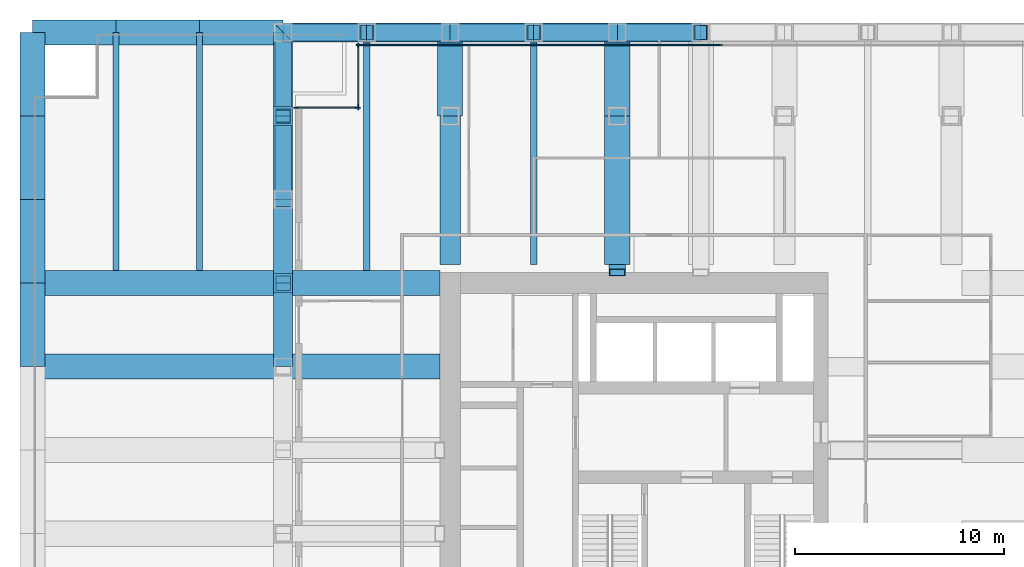
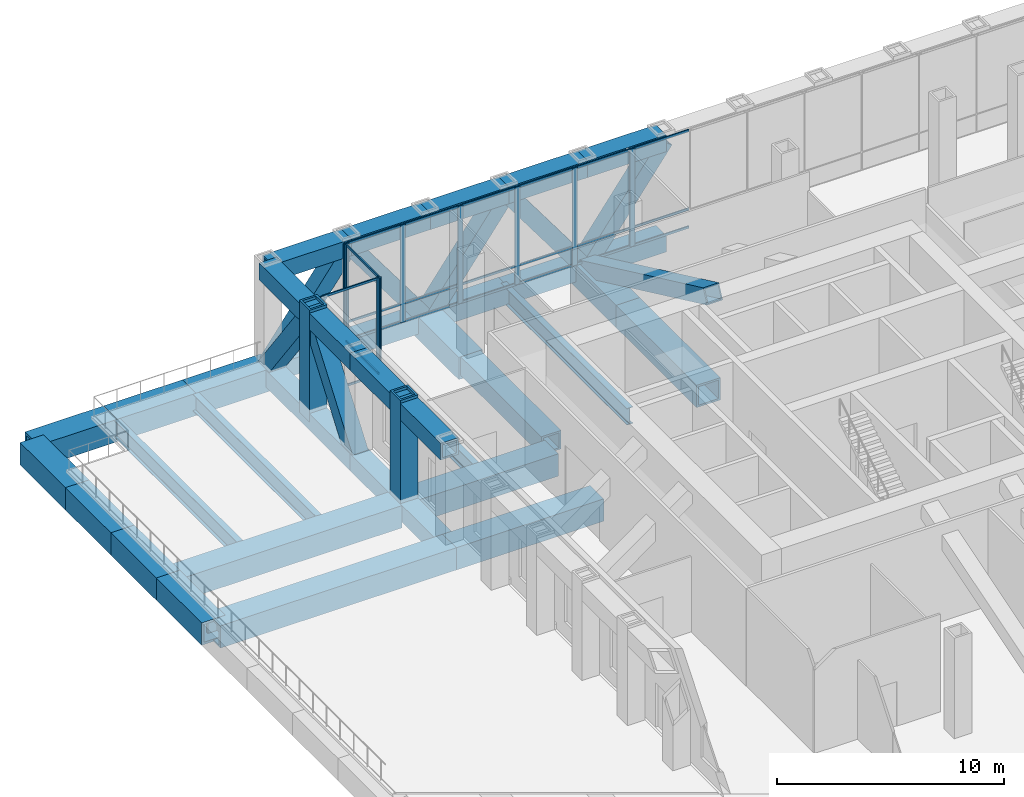
# One storey, part 7 of 14: 42 members, 35 beams, 3 elements without a shape of their own.
"""IFC4 building model written with IfcOpenShell, lengths in metres."""

from ifc_helpers import new_model, si_unit, direction, frame, origin, origin_2d, place, context, subcontext, project, spatial, rectangle, hollow_rectangle, i_section, extrude, material, material_profile, profile_set, type_object, element, aggregate, save


model = new_model("IFC4")

# Units and contexts
model_context = context("Model", 3, precision=1e-05, world=origin(), true_north=direction((0.0, 1.0)))
body_context = subcontext(model_context, "Body", "Model", "MODEL_VIEW")
ifc_project = project(units=[si_unit("LENGTHUNIT", "METRE"), si_unit("AREAUNIT", "SQUARE_METRE"), si_unit("VOLUMEUNIT", "CUBIC_METRE"), si_unit("PLANEANGLEUNIT", "RADIAN"), si_unit("MASSUNIT", "GRAM", prefix="KILO")], contexts=[model_context])

# Site, building, storey
site_placement = place(None, origin())
site = spatial("IfcSite", under=ifc_project, at=site_placement, CompositionType="ELEMENT")
building_placement = place(site_placement, origin())
building = spatial("IfcBuilding", under=site, at=building_placement, Name="Rimbunsela Tower", CompositionType="ELEMENT")
storey_placement = place(building_placement, frame((0.0, 0.0, 71.0)))
storey = spatial("IfcBuildingStorey", under=building, at=storey_placement, Name="L17", CompositionType="ELEMENT", Elevation=71.0)

# Beams
ifc_material_1 = material(Name="Steel BJ 55 (fy 410 MPa)", Category="steel")
ifc_material_profile_1 = material_profile(ifc_material_1, hollow_rectangle(XDim=1.0, YDim=1.0, WallThickness=0.10009765625, at=origin_2d()), Name="BOX 1000x1000x100")
ifc_profile_set_1 = profile_set([ifc_material_profile_1], Name="Steel BJ 55 (fy 410 MPa)")
beam_type_1 = type_object("IfcBeamType", Name="Beam BOX 1000x1000x100", PredefinedType="BEAM", material=ifc_profile_set_1)
beam_1_placement = place(storey_placement, frame((18.0, 36.89990234375, -0.64990234375), z_axis=(0.0, 1.0, 0.0), x_axis=(-1.0, 0.0, 0.0)))
element("IfcBeam", 1, at=beam_1_placement, inside=storey, type_object=beam_type_1, Name="Beam B3 L17", PredefinedType="BEAM", context=body_context, shape_type="SweptSolid", body=[
    extrude(hollow_rectangle(XDim=1.0, YDim=1.0, WallThickness=0.10009765625, at=origin_2d()), origin(), (0.0, 0.0, 1.0), 7.10009765625),
])
ifc_material_2 = material(Name="Steel BJ 55 (fy 410 MPa)", Category="steel")
ifc_material_profile_2 = material_profile(ifc_material_2, hollow_rectangle(XDim=1.199951171875, YDim=1.199951171875, WallThickness=0.10009765625, at=origin_2d()), Name="BOX 1200x1200x100")
ifc_profile_set_2 = profile_set([ifc_material_profile_2], Name="Steel BJ 55 (fy 410 MPa)")
beam_type_2 = type_object("IfcBeamType", Name="Beam BOX 1200x1200x100", PredefinedType="BEAM", material=ifc_profile_set_2)
beam_2_placement = place(storey_placement, frame((-2.0, 32.0, -0.75), z_axis=(1.0, 0.0, 0.0), x_axis=(0.0, 1.0, 0.0)))
element("IfcBeam", 2, at=beam_2_placement, inside=storey, type_object=beam_type_2, Name="Beam B5 L17", PredefinedType="BEAM", context=body_context, shape_type="SweptSolid", body=[
    extrude(hollow_rectangle(XDim=1.199951171875, YDim=1.199951171875, WallThickness=0.10009765625, at=origin_2d()), origin(), (0.0, 0.0, 1.0), 12.0),
])
beam_3_placement = place(storey_placement, frame((-2.0, 36.0, -0.75), z_axis=(1.0, 0.0, 0.0), x_axis=(0.0, 1.0, 0.0)))
element("IfcBeam", 3, at=beam_3_placement, inside=storey, type_object=beam_type_2, Name="Beam B5 L17", PredefinedType="BEAM", context=body_context, shape_type="SweptSolid", body=[
    extrude(hollow_rectangle(XDim=1.199951171875, YDim=1.199951171875, WallThickness=0.10009765625, at=origin_2d()), origin(), (0.0, 0.0, 1.0), 11.550048828125),
])
beam_4_placement = place(storey_placement, frame((10.0, 32.0, -0.75), z_axis=(1.0, 0.0, 0.0), x_axis=(0.0, 1.0, 0.0)))
element("IfcBeam", 4, at=beam_4_placement, inside=storey, type_object=beam_type_2, Name="Beam B5 L17", PredefinedType="BEAM", context=body_context, shape_type="SweptSolid", body=[
    extrude(hollow_rectangle(XDim=1.199951171875, YDim=1.199951171875, WallThickness=0.10009765625, at=origin_2d()), origin(), (0.0, 0.0, 1.0), 7.5),
])
beam_5_placement = place(storey_placement, frame((10.449951171875, 36.0, -0.75), z_axis=(1.0, 0.0, 0.0), x_axis=(0.0, 1.0, 0.0)))
element("IfcBeam", 5, at=beam_5_placement, inside=storey, type_object=beam_type_2, Name="Beam B5 L17", PredefinedType="BEAM", context=body_context, shape_type="SweptSolid", body=[
    extrude(hollow_rectangle(XDim=1.199951171875, YDim=1.199951171875, WallThickness=0.10009765625, at=origin_2d()), origin(), (0.0, 0.0, 1.0), 7.050048828125),
])
beam_6_placement = place(storey_placement, frame((26.0, 36.89990234375, -0.75), z_axis=(0.0, 1.0, 0.0), x_axis=(-1.0, 0.0, 0.0)))
element("IfcBeam", 6, at=beam_6_placement, inside=storey, type_object=beam_type_2, Name="Beam B5 L17", PredefinedType="BEAM", context=body_context, shape_type="SweptSolid", body=[
    extrude(hollow_rectangle(XDim=1.199951171875, YDim=1.199951171875, WallThickness=0.10009765625, at=origin_2d()), origin(), (0.0, 0.0, 1.0), 7.10009765625),
])
ifc_material_3 = material(Name="Steel BJ 55 (fy 410 MPa)", Category="steel")
ifc_material_profile_3 = material_profile(ifc_material_3, hollow_rectangle(XDim=1.199951171875, YDim=1.199951171875, WallThickness=0.125, at=origin_2d()), Name="BOX 1200x1200x125")
ifc_profile_set_3 = profile_set([ifc_material_profile_3], Name="Steel BJ 55 (fy 410 MPa)")
beam_type_3 = type_object("IfcBeamType", Name="Beam BOX 1200x1200x125", PredefinedType="BEAM", material=ifc_profile_set_3)
for number, where, z_axis, x_axis, name in (
    (7, (-2.0, 32.0, -0.75), (0.0, 1.0, 0.0), (-1.0, 0.0, 0.0), "Beam B4 L17"),
    (8, (-2.0, 36.0, -0.75), (0.0, 1.0, 0.0), (-1.0, 0.0, 0.0), "Beam B4 L17"),
    (9, (-2.0, 40.0, -0.75), (0.0, 1.0, 0.0), (-1.0, 0.0, 0.0), "Beam B4 L17"),
    (10, (-2.0, 44.0, -0.75), (0.0, 1.0, 0.0), (-1.0, 0.0, 0.0), "Beam B4 L17"),
    (11, (-2.0, 48.0, -0.75), (1.0, 0.0, 0.0), (0.0, 1.0, 0.0), "Beam B4 L17"),
    (12, (2.0, 48.0, -0.75), (1.0, 0.0, 0.0), (0.0, 1.0, 0.0), "Beam B4 L17"),
    (13, (6.0, 48.0, -0.75), (1.0, 0.0, 0.0), (0.0, 1.0, 0.0), "Beam B4 L17"),
    (14, (18.0, 44.0, -0.75), (0.0, 1.0, 0.0), (-1.0, 0.0, 0.0), "Beam B4 L17"),
    (15, (26.0, 44.0, -0.75), (0.0, 1.0, 0.0), (-1.0, 0.0, 0.0), "Beam B4 L17"),
):
    element("IfcBeam", number, at=place(storey_placement, frame(where, z_axis=z_axis, x_axis=x_axis)), inside=storey, type_object=beam_type_3, Name=name, PredefinedType="BEAM", context=body_context, shape_type="SweptSolid", body=[
        extrude(hollow_rectangle(XDim=1.199951171875, YDim=1.199951171875, WallThickness=0.125, at=origin_2d()), origin(), (0.0, 0.0, 1.0), 4.0),
    ])
ifc_material_4 = material(Name="Steel BJ 55 (fy 410 MPa)", Category="steel")
ifc_material_profile_4 = material_profile(ifc_material_4, i_section(OverallWidth=0.300048828125, OverallDepth=0.89990234375, WebThickness=0.01611328125, FlangeThickness=0.028076171875, FilletRadius=0.028076171875, at=origin_2d()), Name="H 900x300x16x28")
ifc_profile_set_4 = profile_set([ifc_material_profile_4], Name="Steel BJ 55 (fy 410 MPa)")
beam_type_4 = type_object("IfcBeamType", Name="Beam H 900x300x16x28", PredefinedType="BEAM", material=ifc_profile_set_4)
for number, where, z_axis, x_axis, name in (
    (16, (2.0, 36.60009765625, -0.60009765625), (0.0, 1.0, 0.0), (-1.0, 0.0, 0.0), "Beam B2 L17"),
    (17, (6.0, 36.60009765625, -0.60009765625), (0.0, 1.0, 0.0), (-1.0, 0.0, 0.0), "Beam B2 L17"),
    (18, (14.0, 36.60009765625, -0.60009765625), (0.0, 1.0, 0.0), (-1.0, 0.0, 0.0), "Beam B2 L17"),
):
    element("IfcBeam", number, at=place(storey_placement, frame(where, z_axis=z_axis, x_axis=x_axis)), inside=storey, type_object=beam_type_4, Name=name, PredefinedType="BEAM", context=body_context, shape_type="SweptSolid", body=[
        extrude(i_section(OverallWidth=0.300048828125, OverallDepth=0.89990234375, WebThickness=0.01611328125, FlangeThickness=0.028076171875, FilletRadius=0.028076171875, at=origin_2d()), origin(), (0.0, 0.0, 1.0), 11.39990234375),
    ])
beam_7_placement = place(storey_placement, frame((22.0, 36.89990234375, -0.60009765625), z_axis=(0.0, 1.0, 0.0), x_axis=(-1.0, 0.0, 0.0)))
element("IfcBeam", 19, at=beam_7_placement, inside=storey, type_object=beam_type_4, Name="Beam B2 L17", PredefinedType="BEAM", context=body_context, shape_type="SweptSolid", body=[
    extrude(i_section(OverallWidth=0.300048828125, OverallDepth=0.89990234375, WebThickness=0.01611328125, FlangeThickness=0.028076171875, FilletRadius=0.028076171875, at=origin_2d()), origin(), (0.0, 0.0, 1.0), 11.10009765625),
])

# Curtain wall, members
ifc_material_5 = material(Name="Aluminium curtain wall", Category="aluminium")
curtain_wall_type_1 = type_object("IfcCurtainWallType", Name="Plant floor louvre wall", PredefinedType="USERDEFINED", material=ifc_material_5)
curtain_wall_1_placement = place(storey_placement, origin())
curtain_wall_1 = element("IfcCurtainWall", 20, at=curtain_wall_1_placement, inside=storey, type_object=curtain_wall_type_1, Name="Plant floor louvre wall L17", ObjectType="PLANT FLOOR LOUVRE WALL", PredefinedType="USERDEFINED")
ifc_material_6 = material(Name="Aluminium mullion", Category="aluminium")
ifc_material_profile_5 = material_profile(ifc_material_6, rectangle(XDim=0.06005859375, YDim=0.25, at=origin_2d()), Name="Mullion 60x250")
ifc_profile_set_5 = profile_set([ifc_material_profile_5], Name="Aluminium mullion")
member_type_1 = type_object("IfcMemberType", Name="Curtain wall mullion 60x250", PredefinedType="MULLION", material=ifc_profile_set_5)
member_1_placement = place(storey_placement, frame((28.17138671875, 47.39990234375, 0.0), z_axis=(0.0, 0.0, 1.0), x_axis=(0.0, -1.0, 0.0)))
member_1 = element("IfcMember", 21, at=member_1_placement, type_object=member_type_1, Name="CW3 mullion 10", PredefinedType="MULLION", context=body_context, shape_type="SweptSolid", body=[
    extrude(rectangle(XDim=0.06005859375, YDim=0.25, at=origin_2d()), origin(), (0.0, 0.0, 1.0), 5.25),
])
member_2_placement = place(storey_placement, frame((25.257080078125, 47.39990234375, 0.0), z_axis=(0.0, 0.0, 1.0), x_axis=(0.0, -1.0, 0.0)))
member_2 = element("IfcMember", 22, at=member_2_placement, type_object=member_type_1, Name="CW3 mullion 11", PredefinedType="MULLION", context=body_context, shape_type="SweptSolid", body=[
    extrude(rectangle(XDim=0.06005859375, YDim=0.25, at=origin_2d()), origin(), (0.0, 0.0, 1.0), 5.25),
])
member_3_placement = place(storey_placement, frame((22.3427734375, 47.39990234375, 0.0), z_axis=(0.0, 0.0, 1.0), x_axis=(0.0, -1.0, 0.0)))
member_3 = element("IfcMember", 23, at=member_3_placement, type_object=member_type_1, Name="CW3 mullion 12", PredefinedType="MULLION", context=body_context, shape_type="SweptSolid", body=[
    extrude(rectangle(XDim=0.06005859375, YDim=0.25, at=origin_2d()), origin(), (0.0, 0.0, 1.0), 5.25),
])
member_4_placement = place(storey_placement, frame((19.428466796875, 47.39990234375, 0.0), z_axis=(0.0, 0.0, 1.0), x_axis=(0.0, -1.0, 0.0)))
member_4 = element("IfcMember", 24, at=member_4_placement, type_object=member_type_1, Name="CW3 mullion 13", PredefinedType="MULLION", context=body_context, shape_type="SweptSolid", body=[
    extrude(rectangle(XDim=0.06005859375, YDim=0.25, at=origin_2d()), origin(), (0.0, 0.0, 1.0), 5.25),
])
member_5_placement = place(storey_placement, frame((16.514404296875, 47.39990234375, 0.0), z_axis=(0.0, 0.0, 1.0), x_axis=(0.0, -1.0, 0.0)))
member_5 = element("IfcMember", 25, at=member_5_placement, type_object=member_type_1, Name="CW3 mullion 14", PredefinedType="MULLION", context=body_context, shape_type="SweptSolid", body=[
    extrude(rectangle(XDim=0.06005859375, YDim=0.25, at=origin_2d()), origin(), (0.0, 0.0, 1.0), 5.25),
])
member_6_placement = place(storey_placement, frame((13.6298828125, 47.39990234375, 0.0), z_axis=(0.0, 0.0, 1.0), x_axis=(0.0, -1.0, 0.0)))
member_6 = element("IfcMember", 26, at=member_6_placement, type_object=member_type_1, Name="CW3 mullion 15", PredefinedType="MULLION", context=body_context, shape_type="SweptSolid", body=[
    extrude(rectangle(XDim=0.06005859375, YDim=0.25, at=origin_2d()), origin(), (0.0, 0.0, 1.0), 5.25),
])

ifc_material_7 = material(Name="Aluminium curtain wall", Category="aluminium")
curtain_wall_type_2 = type_object("IfcCurtainWallType", Name="Corner glazing", PredefinedType="USERDEFINED", material=ifc_material_7)
curtain_wall_2_placement = place(storey_placement, origin())
curtain_wall_2 = element("IfcCurtainWall", 27, at=curtain_wall_2_placement, inside=storey, type_object=curtain_wall_type_2, Name="Corner glazing L17", ObjectType="CORNER GLAZING", PredefinedType="USERDEFINED")
member_7_placement = place(storey_placement, frame((13.60009765625, 47.3701171875, 0.0), z_axis=(0.0, 0.0, 1.0), x_axis=(1.0, 0.0, 0.0)))
member_7 = element("IfcMember", 28, at=member_7_placement, type_object=member_type_1, Name="CW5 mullion 1", PredefinedType="MULLION", context=body_context, shape_type="SweptSolid", body=[
    extrude(rectangle(XDim=0.06005859375, YDim=0.25, at=origin_2d()), origin(), (0.0, 0.0, 1.0), 5.25),
])
member_8_placement = place(storey_placement, frame((13.60009765625, 44.429931640625, 0.0), z_axis=(0.0, 0.0, 1.0), x_axis=(1.0, 0.0, 0.0)))
member_8 = element("IfcMember", 29, at=member_8_placement, type_object=member_type_1, Name="CW5 mullion 2", PredefinedType="MULLION", context=body_context, shape_type="SweptSolid", body=[
    extrude(rectangle(XDim=0.06005859375, YDim=0.25, at=origin_2d()), origin(), (0.0, 0.0, 1.0), 5.25),
])

curtain_wall_3_placement = place(storey_placement, origin())
curtain_wall_3 = element("IfcCurtainWall", 30, at=curtain_wall_3_placement, inside=storey, type_object=curtain_wall_type_2, Name="Corner glazing L17", ObjectType="CORNER GLAZING", PredefinedType="USERDEFINED")
member_9_placement = place(storey_placement, frame((13.570068359375, 44.39990234375, 0.0), z_axis=(0.0, 0.0, 1.0), x_axis=(0.0, -1.0, 0.0)))
member_9 = element("IfcMember", 31, at=member_9_placement, type_object=member_type_1, Name="CW5 mullion 1", PredefinedType="MULLION", context=body_context, shape_type="SweptSolid", body=[
    extrude(rectangle(XDim=0.06005859375, YDim=0.25, at=origin_2d()), origin(), (0.0, 0.0, 1.0), 5.25),
])
member_10_placement = place(storey_placement, frame((10.6298828125, 44.39990234375, 0.0), z_axis=(0.0, 0.0, 1.0), x_axis=(0.0, -1.0, 0.0)))
member_10 = element("IfcMember", 32, at=member_10_placement, type_object=member_type_1, Name="CW5 mullion 2", PredefinedType="MULLION", context=body_context, shape_type="SweptSolid", body=[
    extrude(rectangle(XDim=0.06005859375, YDim=0.25, at=origin_2d()), origin(), (0.0, 0.0, 1.0), 5.25),
])

# Member
ifc_material_8 = material(Name="Aluminium transom", Category="aluminium")
ifc_material_profile_6 = material_profile(ifc_material_8, rectangle(XDim=0.06005859375, YDim=0.1201171875, at=origin_2d()), Name="Transom 60x120")
ifc_profile_set_6 = profile_set([ifc_material_profile_6], Name="Aluminium transom")
member_type_2 = type_object("IfcMemberType", Name="Curtain wall transom 60x120", PredefinedType="USERDEFINED", material=ifc_profile_set_6)
member_11_placement = place(storey_placement, frame((31.0556640625, 47.39990234375, 0.030029296875), z_axis=(-1.0, 0.0, 0.0), x_axis=(0.0, -1.0, 0.0)))
member_11 = element("IfcMember", 33, at=member_11_placement, type_object=member_type_2, Name="CW3 transom 9.1", ObjectType="TRANSOM", PredefinedType="USERDEFINED", context=body_context, shape_type="SweptSolid", body=[
    extrude(rectangle(XDim=0.06005859375, YDim=0.1201171875, at=origin_2d()), origin(), (0.0, 0.0, 1.0), 2.854248046875),
])

member_12_placement = place(storey_placement, frame((31.0556640625, 47.39990234375, 1.0), z_axis=(-1.0, 0.0, 0.0), x_axis=(0.0, -1.0, 0.0)))
member_12 = element("IfcMember", 34, at=member_12_placement, type_object=member_type_2, Name="CW3 transom 9.2", ObjectType="TRANSOM", PredefinedType="USERDEFINED", context=body_context, shape_type="SweptSolid", body=[
    extrude(rectangle(XDim=0.06005859375, YDim=0.1201171875, at=origin_2d()), origin(), (0.0, 0.0, 1.0), 2.854248046875),
])

member_13_placement = place(storey_placement, frame((31.0556640625, 47.39990234375, 5.219970703125), z_axis=(-1.0, 0.0, 0.0), x_axis=(0.0, -1.0, 0.0)))
member_13 = element("IfcMember", 35, at=member_13_placement, type_object=member_type_2, Name="CW3 transom 9.3", ObjectType="TRANSOM", PredefinedType="USERDEFINED", context=body_context, shape_type="SweptSolid", body=[
    extrude(rectangle(XDim=0.06005859375, YDim=0.1201171875, at=origin_2d()), origin(), (0.0, 0.0, 1.0), 2.854248046875),
])

member_14_placement = place(storey_placement, frame((28.141357421875, 47.39990234375, 0.030029296875), z_axis=(-1.0, 0.0, 0.0), x_axis=(0.0, -1.0, 0.0)))
member_14 = element("IfcMember", 36, at=member_14_placement, type_object=member_type_2, Name="CW3 transom 10.1", ObjectType="TRANSOM", PredefinedType="USERDEFINED", context=body_context, shape_type="SweptSolid", body=[
    extrude(rectangle(XDim=0.06005859375, YDim=0.1201171875, at=origin_2d()), origin(), (0.0, 0.0, 1.0), 2.854248046875),
])

member_15_placement = place(storey_placement, frame((28.141357421875, 47.39990234375, 1.0), z_axis=(-1.0, 0.0, 0.0), x_axis=(0.0, -1.0, 0.0)))
member_15 = element("IfcMember", 37, at=member_15_placement, type_object=member_type_2, Name="CW3 transom 10.2", ObjectType="TRANSOM", PredefinedType="USERDEFINED", context=body_context, shape_type="SweptSolid", body=[
    extrude(rectangle(XDim=0.06005859375, YDim=0.1201171875, at=origin_2d()), origin(), (0.0, 0.0, 1.0), 2.854248046875),
])

member_16_placement = place(storey_placement, frame((28.141357421875, 47.39990234375, 5.219970703125), z_axis=(-1.0, 0.0, 0.0), x_axis=(0.0, -1.0, 0.0)))
member_16 = element("IfcMember", 38, at=member_16_placement, type_object=member_type_2, Name="CW3 transom 10.3", ObjectType="TRANSOM", PredefinedType="USERDEFINED", context=body_context, shape_type="SweptSolid", body=[
    extrude(rectangle(XDim=0.06005859375, YDim=0.1201171875, at=origin_2d()), origin(), (0.0, 0.0, 1.0), 2.854248046875),
])

member_17_placement = place(storey_placement, frame((25.22705078125, 47.39990234375, 0.030029296875), z_axis=(-1.0, 0.0, 0.0), x_axis=(0.0, -1.0, 0.0)))
member_17 = element("IfcMember", 39, at=member_17_placement, type_object=member_type_2, Name="CW3 transom 11.1", ObjectType="TRANSOM", PredefinedType="USERDEFINED", context=body_context, shape_type="SweptSolid", body=[
    extrude(rectangle(XDim=0.06005859375, YDim=0.1201171875, at=origin_2d()), origin(), (0.0, 0.0, 1.0), 2.854248046875),
])

member_18_placement = place(storey_placement, frame((25.22705078125, 47.39990234375, 1.0), z_axis=(-1.0, 0.0, 0.0), x_axis=(0.0, -1.0, 0.0)))
member_18 = element("IfcMember", 40, at=member_18_placement, type_object=member_type_2, Name="CW3 transom 11.2", ObjectType="TRANSOM", PredefinedType="USERDEFINED", context=body_context, shape_type="SweptSolid", body=[
    extrude(rectangle(XDim=0.06005859375, YDim=0.1201171875, at=origin_2d()), origin(), (0.0, 0.0, 1.0), 2.854248046875),
])

member_19_placement = place(storey_placement, frame((25.22705078125, 47.39990234375, 5.219970703125), z_axis=(-1.0, 0.0, 0.0), x_axis=(0.0, -1.0, 0.0)))
member_19 = element("IfcMember", 41, at=member_19_placement, type_object=member_type_2, Name="CW3 transom 11.3", ObjectType="TRANSOM", PredefinedType="USERDEFINED", context=body_context, shape_type="SweptSolid", body=[
    extrude(rectangle(XDim=0.06005859375, YDim=0.1201171875, at=origin_2d()), origin(), (0.0, 0.0, 1.0), 2.854248046875),
])

member_20_placement = place(storey_placement, frame((22.312744140625, 47.39990234375, 0.030029296875), z_axis=(-1.0, 0.0, 0.0), x_axis=(0.0, -1.0, 0.0)))
member_20 = element("IfcMember", 42, at=member_20_placement, type_object=member_type_2, Name="CW3 transom 12.1", ObjectType="TRANSOM", PredefinedType="USERDEFINED", context=body_context, shape_type="SweptSolid", body=[
    extrude(rectangle(XDim=0.06005859375, YDim=0.1201171875, at=origin_2d()), origin(), (0.0, 0.0, 1.0), 2.854248046875),
])

member_21_placement = place(storey_placement, frame((22.312744140625, 47.39990234375, 1.0), z_axis=(-1.0, 0.0, 0.0), x_axis=(0.0, -1.0, 0.0)))
member_21 = element("IfcMember", 43, at=member_21_placement, type_object=member_type_2, Name="CW3 transom 12.2", ObjectType="TRANSOM", PredefinedType="USERDEFINED", context=body_context, shape_type="SweptSolid", body=[
    extrude(rectangle(XDim=0.06005859375, YDim=0.1201171875, at=origin_2d()), origin(), (0.0, 0.0, 1.0), 2.854248046875),
])

member_22_placement = place(storey_placement, frame((22.312744140625, 47.39990234375, 5.219970703125), z_axis=(-1.0, 0.0, 0.0), x_axis=(0.0, -1.0, 0.0)))
member_22 = element("IfcMember", 44, at=member_22_placement, type_object=member_type_2, Name="CW3 transom 12.3", ObjectType="TRANSOM", PredefinedType="USERDEFINED", context=body_context, shape_type="SweptSolid", body=[
    extrude(rectangle(XDim=0.06005859375, YDim=0.1201171875, at=origin_2d()), origin(), (0.0, 0.0, 1.0), 2.854248046875),
])

member_23_placement = place(storey_placement, frame((19.398681640625, 47.39990234375, 0.030029296875), z_axis=(-1.0, 0.0, 0.0), x_axis=(0.0, -1.0, 0.0)))
member_23 = element("IfcMember", 45, at=member_23_placement, type_object=member_type_2, Name="CW3 transom 13.1", ObjectType="TRANSOM", PredefinedType="USERDEFINED", context=body_context, shape_type="SweptSolid", body=[
    extrude(rectangle(XDim=0.06005859375, YDim=0.1201171875, at=origin_2d()), origin(), (0.0, 0.0, 1.0), 2.8544921875),
])

member_24_placement = place(storey_placement, frame((19.398681640625, 47.39990234375, 1.0), z_axis=(-1.0, 0.0, 0.0), x_axis=(0.0, -1.0, 0.0)))
member_24 = element("IfcMember", 46, at=member_24_placement, type_object=member_type_2, Name="CW3 transom 13.2", ObjectType="TRANSOM", PredefinedType="USERDEFINED", context=body_context, shape_type="SweptSolid", body=[
    extrude(rectangle(XDim=0.06005859375, YDim=0.1201171875, at=origin_2d()), origin(), (0.0, 0.0, 1.0), 2.8544921875),
])

member_25_placement = place(storey_placement, frame((19.398681640625, 47.39990234375, 5.219970703125), z_axis=(-1.0, 0.0, 0.0), x_axis=(0.0, -1.0, 0.0)))
member_25 = element("IfcMember", 47, at=member_25_placement, type_object=member_type_2, Name="CW3 transom 13.3", ObjectType="TRANSOM", PredefinedType="USERDEFINED", context=body_context, shape_type="SweptSolid", body=[
    extrude(rectangle(XDim=0.06005859375, YDim=0.1201171875, at=origin_2d()), origin(), (0.0, 0.0, 1.0), 2.8544921875),
])

member_26_placement = place(storey_placement, frame((16.484375, 47.39990234375, 0.030029296875), z_axis=(-1.0, 0.0, 0.0), x_axis=(0.0, -1.0, 0.0)))
member_26 = element("IfcMember", 48, at=member_26_placement, type_object=member_type_2, Name="CW3 transom 14.1", ObjectType="TRANSOM", PredefinedType="USERDEFINED", context=body_context, shape_type="SweptSolid", body=[
    extrude(rectangle(XDim=0.06005859375, YDim=0.1201171875, at=origin_2d()), origin(), (0.0, 0.0, 1.0), 2.824462890625),
])

member_27_placement = place(storey_placement, frame((16.484375, 47.39990234375, 1.0), z_axis=(-1.0, 0.0, 0.0), x_axis=(0.0, -1.0, 0.0)))
member_27 = element("IfcMember", 49, at=member_27_placement, type_object=member_type_2, Name="CW3 transom 14.2", ObjectType="TRANSOM", PredefinedType="USERDEFINED", context=body_context, shape_type="SweptSolid", body=[
    extrude(rectangle(XDim=0.06005859375, YDim=0.1201171875, at=origin_2d()), origin(), (0.0, 0.0, 1.0), 2.824462890625),
])

member_28_placement = place(storey_placement, frame((16.484375, 47.39990234375, 5.219970703125), z_axis=(-1.0, 0.0, 0.0), x_axis=(0.0, -1.0, 0.0)))
member_28 = element("IfcMember", 50, at=member_28_placement, type_object=member_type_2, Name="CW3 transom 14.3", ObjectType="TRANSOM", PredefinedType="USERDEFINED", context=body_context, shape_type="SweptSolid", body=[
    extrude(rectangle(XDim=0.06005859375, YDim=0.1201171875, at=origin_2d()), origin(), (0.0, 0.0, 1.0), 2.824462890625),
])

aggregate(curtain_wall_1, [member_1, member_2, member_3, member_4, member_5, member_6, member_11, member_12, member_13, member_14, member_15, member_16, member_17, member_18, member_19, member_20, member_21, member_22, member_23, member_24, member_25, member_26, member_27, member_28])

member_29_placement = place(storey_placement, frame((13.60009765625, 47.340087890625, 0.030029296875), z_axis=(0.0, -1.0, 0.0), x_axis=(1.0, 0.0, 0.0)))
member_29 = element("IfcMember", 51, at=member_29_placement, type_object=member_type_2, Name="CW5 transom 1.1", ObjectType="TRANSOM", PredefinedType="USERDEFINED", context=body_context, shape_type="SweptSolid", body=[
    extrude(rectangle(XDim=0.06005859375, YDim=0.1201171875, at=origin_2d()), origin(), (0.0, 0.0, 1.0), 2.880126953125),
])

member_30_placement = place(storey_placement, frame((13.60009765625, 47.340087890625, 5.219970703125), z_axis=(0.0, -1.0, 0.0), x_axis=(1.0, 0.0, 0.0)))
member_30 = element("IfcMember", 52, at=member_30_placement, type_object=member_type_2, Name="CW5 transom 1.2", ObjectType="TRANSOM", PredefinedType="USERDEFINED", context=body_context, shape_type="SweptSolid", body=[
    extrude(rectangle(XDim=0.06005859375, YDim=0.1201171875, at=origin_2d()), origin(), (0.0, 0.0, 1.0), 2.880126953125),
])

aggregate(curtain_wall_2, [member_7, member_8, member_29, member_30])

member_31_placement = place(storey_placement, frame((13.5400390625, 44.39990234375, 0.030029296875), z_axis=(-1.0, 0.0, 0.0), x_axis=(0.0, -1.0, 0.0)))
member_31 = element("IfcMember", 53, at=member_31_placement, type_object=member_type_2, Name="CW5 transom 1.1", ObjectType="TRANSOM", PredefinedType="USERDEFINED", context=body_context, shape_type="SweptSolid", body=[
    extrude(rectangle(XDim=0.06005859375, YDim=0.1201171875, at=origin_2d()), origin(), (0.0, 0.0, 1.0), 2.880126953125),
])

member_32_placement = place(storey_placement, frame((13.5400390625, 44.39990234375, 5.219970703125), z_axis=(-1.0, 0.0, 0.0), x_axis=(0.0, -1.0, 0.0)))
member_32 = element("IfcMember", 54, at=member_32_placement, type_object=member_type_2, Name="CW5 transom 1.2", ObjectType="TRANSOM", PredefinedType="USERDEFINED", context=body_context, shape_type="SweptSolid", body=[
    extrude(rectangle(XDim=0.06005859375, YDim=0.1201171875, at=origin_2d()), origin(), (0.0, 0.0, 1.0), 2.880126953125),
])

aggregate(curtain_wall_3, [member_9, member_10, member_31, member_32])

ifc_material_9 = material(Name="Steel BJ 55 (fy 410 MPa)", Category="steel")
ifc_material_profile_7 = material_profile(ifc_material_9, hollow_rectangle(XDim=0.800048828125, YDim=0.800048828125, WallThickness=0.06005859375, at=origin_2d()), Name="BOX 800x800x60")
ifc_profile_set_7 = profile_set([ifc_material_profile_7], Name="Steel BJ 55 (fy 410 MPa)")
member_type_3 = type_object("IfcMemberType", Name="Outrigger brace BOX 800x800x60", PredefinedType="BRACE", material=ifc_profile_set_7)
member_33_placement = place(storey_placement, frame((26.0, 48.0, -0.60009765625), z_axis=(0.0, -0.905170711819, 0.42504821193), x_axis=(1.0, 0.0, 0.0)))
element("IfcMember", 55, at=member_33_placement, inside=storey, type_object=member_type_3, Name="Outrigger brace OB1 N L17", PredefinedType="BRACE", context=body_context, shape_type="SweptSolid", body=[
    extrude(hollow_rectangle(XDim=0.800048828125, YDim=0.800048828125, WallThickness=0.06005859375, at=origin_2d()), origin(), (0.0, 0.0, 1.0), 12.704833984375),
])

# Beams
ifc_material_10 = material(Name="Steel BJ 55 (fy 410 MPa)", Category="steel")
ifc_material_profile_8 = material_profile(ifc_material_10, hollow_rectangle(XDim=0.89990234375, YDim=0.89990234375, WallThickness=0.10009765625, at=origin_2d()), Name="BOX 900x900x100")
ifc_profile_set_8 = profile_set([ifc_material_profile_8], Name="Steel BJ 55 (fy 410 MPa)")
beam_type_5 = type_object("IfcBeamType", Name="Truss chord BOX 900x900x100", PredefinedType="USERDEFINED", material=ifc_profile_set_8)
for number, where, z_axis, x_axis, name in (
    (56, (10.0, 48.0, 4.800048828125), (1.0, 0.0, 0.0), (0.0, 1.0, 0.0), "Truss top chord TC2 N face L17"),
    (57, (14.0, 48.0, 4.800048828125), (1.0, 0.0, 0.0), (0.0, 1.0, 0.0), "Truss top chord TC2 N face L17"),
    (58, (18.0, 48.0, 4.800048828125), (1.0, 0.0, 0.0), (0.0, 1.0, 0.0), "Truss top chord TC2 N face L17"),
    (59, (22.0, 48.0, 4.800048828125), (1.0, 0.0, 0.0), (0.0, 1.0, 0.0), "Truss top chord TC2 N face L17"),
    (60, (26.0, 48.0, 4.800048828125), (1.0, 0.0, 0.0), (0.0, 1.0, 0.0), "Truss top chord TC2 N face L17"),
    (61, (10.0, 32.0, 4.800048828125), (0.0, 1.0, 0.0), (-1.0, 0.0, 0.0), "Truss top chord TC2 W face L17"),
    (62, (10.0, 36.0, 4.800048828125), (0.0, 1.0, 0.0), (-1.0, 0.0, 0.0), "Truss top chord TC2 W face L17"),
    (63, (10.0, 40.0, 4.800048828125), (0.0, 1.0, 0.0), (-1.0, 0.0, 0.0), "Truss top chord TC2 W face L17"),
    (64, (10.0, 44.0, 4.800048828125), (0.0, 1.0, 0.0), (-1.0, 0.0, 0.0), "Truss top chord TC2 W face L17"),
    (65, (10.0, 48.0, -0.60009765625), (1.0, 0.0, 0.0), (0.0, 1.0, 0.0), "Truss bottom chord TC2 N face L17"),
    (66, (14.0, 48.0, -0.60009765625), (1.0, 0.0, 0.0), (0.0, 1.0, 0.0), "Truss bottom chord TC2 N face L17"),
    (67, (18.0, 48.0, -0.60009765625), (1.0, 0.0, 0.0), (0.0, 1.0, 0.0), "Truss bottom chord TC2 N face L17"),
    (68, (22.0, 48.0, -0.60009765625), (1.0, 0.0, 0.0), (0.0, 1.0, 0.0), "Truss bottom chord TC2 N face L17"),
    (69, (26.0, 48.0, -0.60009765625), (1.0, 0.0, 0.0), (0.0, 1.0, 0.0), "Truss bottom chord TC2 N face L17"),
):
    element("IfcBeam", number, at=place(storey_placement, frame(where, z_axis=z_axis, x_axis=x_axis)), inside=storey, type_object=beam_type_5, Name=name, ObjectType="TRUSS CHORD", PredefinedType="USERDEFINED", context=body_context, shape_type="SweptSolid", body=[
        extrude(hollow_rectangle(XDim=0.89990234375, YDim=0.89990234375, WallThickness=0.10009765625, at=origin_2d()), origin(), (0.0, 0.0, 1.0), 4.0),
    ])
for number, where, z_axis, x_axis, name in (
    (70, (10.0, 32.0, -0.60009765625), (0.0, 1.0, 0.0), (-1.0, 0.0, 0.0), "Truss bottom chord TC2 W face L17"),
    (71, (10.0, 40.0, -0.60009765625), (0.0, 1.0, 0.0), (-1.0, 0.0, 0.0), "Truss bottom chord TC2 W face L17"),
):
    element("IfcBeam", number, at=place(storey_placement, frame(where, z_axis=z_axis, x_axis=x_axis)), inside=storey, type_object=beam_type_5, Name=name, ObjectType="TRUSS CHORD", PredefinedType="USERDEFINED", context=body_context, shape_type="SweptSolid", body=[
        extrude(hollow_rectangle(XDim=0.89990234375, YDim=0.89990234375, WallThickness=0.10009765625, at=origin_2d()), origin(), (0.0, 0.0, 1.0), 8.0),
    ])

# Members
ifc_material_11 = material(Name="Steel BJ 55 (fy 410 MPa)", Category="steel")
ifc_material_profile_9 = material_profile(ifc_material_11, hollow_rectangle(XDim=0.800048828125, YDim=0.800048828125, WallThickness=0.06005859375, at=origin_2d()), Name="BOX 800x800x60")
ifc_profile_set_9 = profile_set([ifc_material_profile_9], Name="Steel BJ 55 (fy 410 MPa)")
member_type_4 = type_object("IfcMemberType", Name="Truss diagonal BOX 800x800x60", PredefinedType="BRACE", material=ifc_profile_set_9)
for number, where, z_axis, x_axis, name in (
    (72, (10.0, 48.0, -0.60009765625), (0.595217124844, 0.0, 0.803564916041), (0.0, 1.0, 0.0), "Truss diagonal TD2 N face L17"),
    (73, (14.0, 48.0, 4.800048828125), (0.595217124844, 0.0, -0.803564916041), (0.0, 1.0, 0.0), "Truss diagonal TD2 N face L17"),
    (74, (18.0, 48.0, -0.60009765625), (0.595217124844, 0.0, 0.803564916041), (0.0, 1.0, 0.0), "Truss diagonal TD2 N face L17"),
    (75, (22.0, 48.0, 4.800048828125), (0.595217124844, 0.0, -0.803564916041), (0.0, 1.0, 0.0), "Truss diagonal TD2 N face L17"),
    (76, (26.0, 48.0, -0.60009765625), (0.595217124844, 0.0, 0.803564916041), (0.0, 1.0, 0.0), "Truss diagonal TD2 N face L17"),
    (77, (10.0, 40.0, -0.60009765625), (0.0, 0.595217124844, 0.803564916041), (-1.0, 0.0, 0.0), "Truss diagonal TD2 W face L17"),
    (78, (10.0, 44.0, 4.800048828125), (0.0, 0.595217124844, -0.803564916041), (-1.0, 0.0, 0.0), "Truss diagonal TD2 W face L17"),
):
    element("IfcMember", number, at=place(storey_placement, frame(where, z_axis=z_axis, x_axis=x_axis)), inside=storey, type_object=member_type_4, Name=name, PredefinedType="BRACE", context=body_context, shape_type="SweptSolid", body=[
        extrude(hollow_rectangle(XDim=0.800048828125, YDim=0.800048828125, WallThickness=0.06005859375, at=origin_2d()), origin(), (0.0, 0.0, 1.0), 6.72021484375),
    ])
ifc_material_12 = material(Name="Steel BJ 55 (fy 410 MPa)", Category="steel")
ifc_material_profile_10 = material_profile(ifc_material_12, hollow_rectangle(XDim=0.89990234375, YDim=0.89990234375, WallThickness=0.10009765625, at=origin_2d()), Name="BOX 900x900x100")
ifc_profile_set_10 = profile_set([ifc_material_profile_10], Name="Steel BJ 55 (fy 410 MPa)")
member_type_5 = type_object("IfcMemberType", Name="Truss post BOX 900x900x100", PredefinedType="POST", material=ifc_profile_set_10)
for number, where, z_axis, x_axis, name in (
    (79, (10.0, 36.0, -0.60009765625), (0.0, 0.0, 1.0), (1.0, 0.0, 0.0), "Truss post TP2 5/L L17"),
    (80, (10.0, 44.0, -0.60009765625), (0.0, 0.0, 1.0), (1.0, 0.0, 0.0), "Truss post TP2 5/N L17"),
):
    element("IfcMember", number, at=place(storey_placement, frame(where, z_axis=z_axis, x_axis=x_axis)), inside=storey, type_object=member_type_5, Name=name, PredefinedType="POST", context=body_context, shape_type="SweptSolid", body=[
        extrude(hollow_rectangle(XDim=0.89990234375, YDim=0.89990234375, WallThickness=0.10009765625, at=origin_2d()), origin(), (0.0, 0.0, 1.0), 6.0),
    ])

save(model, "model.ifc")
